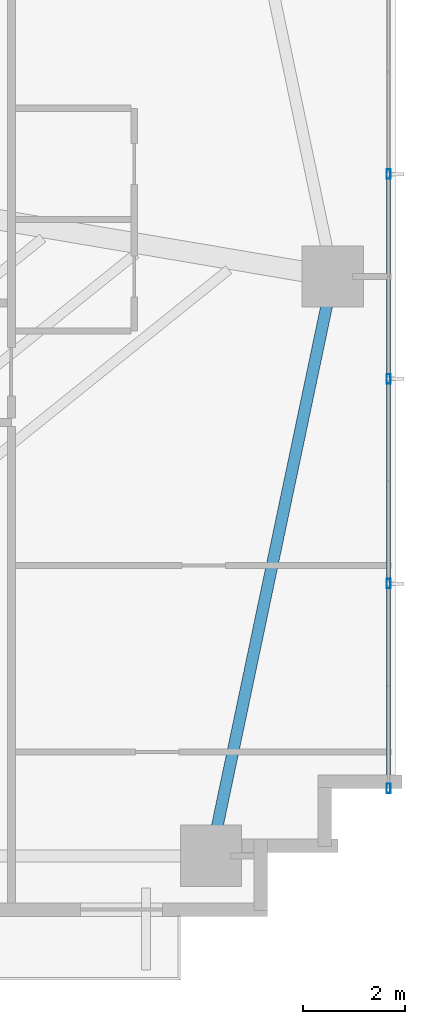
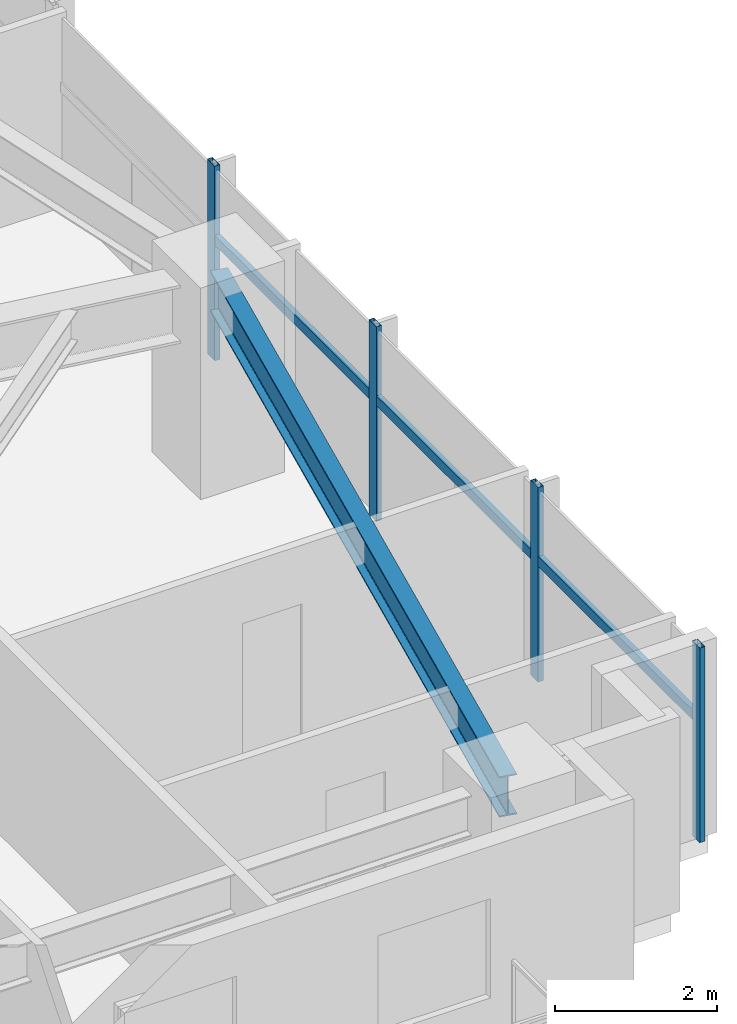
# One storey, part 14 of 25: 7 members, 1 beam, 1 element without a shape of its own.
"""IFC4 building model written with IfcOpenShell, lengths in metres."""

from ifc_helpers import new_model, si_unit, direction, frame, origin, origin_2d, place, context, subcontext, project, spatial, hollow_rectangle, i_section, extrude, source, transform, mapped, material, material_profile, profile_set, type_object, type_shapes, element, aggregate, save


model = new_model("IFC4")

# Units and contexts
model_context = context("Model", 3, precision=1e-05, world=origin(), true_north=direction((0.0, 1.0)))
body_context = subcontext(model_context, "Body", "Model", "MODEL_VIEW")
ifc_project = project(units=[si_unit("LENGTHUNIT", "METRE"), si_unit("AREAUNIT", "SQUARE_METRE"), si_unit("VOLUMEUNIT", "CUBIC_METRE"), si_unit("PLANEANGLEUNIT", "RADIAN"), si_unit("MASSUNIT", "GRAM", prefix="KILO")], contexts=[model_context])

# Site, building, storey
site_placement = place(None, origin())
site = spatial("IfcSite", under=ifc_project, at=site_placement, CompositionType="ELEMENT")
building_placement = place(site_placement, origin())
building = spatial("IfcBuilding", under=site, at=building_placement, Name="Astriad Promenade Condominiums", CompositionType="ELEMENT")
storey_placement = place(building_placement, frame((0.0, 0.0, 29.39990234375)))
storey = spatial("IfcBuildingStorey", under=building, at=storey_placement, Name="L07", CompositionType="ELEMENT", Elevation=29.39990234375)

# Beam
ifc_material_1 = material(Name="Steel ASTM A992 Grade 50", Category="steel")
ifc_material_profile_1 = material_profile(ifc_material_1, i_section(OverallWidth=0.22900390625, OverallDepth=0.612060546875, WebThickness=0.011962890625, FlangeThickness=0.01953125, FilletRadius=0.017822265625, at=origin_2d()), Name="W24X84")
ifc_profile_set_1 = profile_set([ifc_material_profile_1], Name="Steel ASTM A992 Grade 50")
beam_type = type_object("IfcBeamType", Name="STEEL SPANDREL BEAM W24X84", PredefinedType="SPANDREL", material=ifc_profile_set_1)
shared_shape_1 = source(origin(), body_context, "Body", "SweptSolid", [
    extrude(i_section(OverallWidth=0.22900390625, OverallDepth=0.612060546875, WebThickness=0.011962890625, FlangeThickness=0.01953125, FilletRadius=0.017822265625, at=origin_2d()), origin(), (0.0, 0.0, 1.0), 11.487548828125),
])
type_shapes(beam_type, [shared_shape_1])
beam_placement = place(storey_placement, frame((56.208251953125, 3.919189453125, 2.634033203125), z_axis=(0.205748055501, 0.978604995725, 0.0), x_axis=(-0.978604995725, 0.205748055501, 0.0)))
element("IfcBeam", 1, at=beam_placement, inside=storey, type_object=beam_type, Name="Perimeter Spandrel Beam SP-E1-L07", PredefinedType="SPANDREL", context=body_context, shape_type="MappedRepresentation", body=[
    mapped(shared_shape_1, transform((0.0, 0.0, 0.0), scale=1.0)),
])

# Curtain wall, members
ifc_material_2 = material(Name="Anodised aluminium Black Dark Glass Unitised", Category="aluminium")
curtain_wall_type = type_object("IfcCurtainWallType", Name="CW-B1-DARK", PredefinedType="USERDEFINED", material=ifc_material_2)
curtain_wall_placement = place(storey_placement, origin())
curtain_wall = element("IfcCurtainWall", 2, at=curtain_wall_placement, inside=storey, type_object=curtain_wall_type, Name="CW-L07-E", ObjectType="UNITISED_CURTAIN_WALL", PredefinedType="USERDEFINED")
ifc_material_3 = material(Name="Anodised aluminium 6063-T6 Black", Category="aluminium")
ifc_material_profile_2 = material_profile(ifc_material_3, hollow_rectangle(XDim=0.074951171875, YDim=0.14990234375, WallThickness=0.004150390625, at=origin_2d()), Name="ALU-TRN-75X150")
ifc_profile_set_2 = profile_set([ifc_material_profile_2], Name="Anodised aluminium 6063-T6 Black")
member_type_1 = type_object("IfcMemberType", Name="TRN-ALU-TRN-75X150", PredefinedType="USERDEFINED", material=ifc_profile_set_2)
shared_shape_2 = source(origin(), body_context, "Body", "SweptSolid", [
    extrude(hollow_rectangle(XDim=0.074951171875, YDim=0.14990234375, WallThickness=0.004150390625, at=origin_2d()), origin(), (0.0, 0.0, 1.0), 4.0),
])
type_shapes(member_type_1, [shared_shape_2])
member_1_placement = place(storey_placement, frame((59.669921875, 17.199951171875, 1.822998046875), z_axis=(0.0, -1.0, 0.0), x_axis=(1.0, 0.0, 0.0)))
member_1 = element("IfcMember", 3, at=member_1_placement, type_object=member_type_1, Name="CW-L07-E-TRN-02-0", ObjectType="TRANSOM", PredefinedType="USERDEFINED", context=body_context, shape_type="MappedRepresentation", body=[
    mapped(shared_shape_2, transform((0.0, 0.0, 0.0), scale=1.0)),
])
member_2_placement = place(storey_placement, frame((59.669921875, 13.199951171875, 1.822998046875), z_axis=(0.0, -1.0, 0.0), x_axis=(1.0, 0.0, 0.0)))
member_2 = element("IfcMember", 4, at=member_2_placement, type_object=member_type_1, Name="CW-L07-E-TRN-03-0", ObjectType="TRANSOM", PredefinedType="USERDEFINED", context=body_context, shape_type="MappedRepresentation", body=[
    mapped(shared_shape_2, transform((0.0, 0.0, 0.0), scale=1.0)),
])
member_3_placement = place(storey_placement, frame((59.669921875, 9.199951171875, 1.822998046875), z_axis=(0.0, -1.0, 0.0), x_axis=(1.0, 0.0, 0.0)))
member_3 = element("IfcMember", 5, at=member_3_placement, type_object=member_type_1, Name="CW-L07-E-TRN-04-0", ObjectType="TRANSOM", PredefinedType="USERDEFINED", context=body_context, shape_type="MappedRepresentation", body=[
    mapped(shared_shape_2, transform((0.0, 0.0, 0.0), scale=1.0)),
])
ifc_material_profile_3 = material_profile(ifc_material_3, hollow_rectangle(XDim=0.074951171875, YDim=0.18505859375, WallThickness=0.00439453125, at=origin_2d()), Name="ALU-MUL-75X185")
ifc_profile_set_3 = profile_set([ifc_material_profile_3], Name="Anodised aluminium 6063-T6 Black")
member_type_2 = type_object("IfcMemberType", Name="MUL-ALU-MUL-75X185", PredefinedType="MULLION", material=ifc_profile_set_3)
shared_shape_3 = source(origin(), body_context, "Body", "SweptSolid", [
    extrude(hollow_rectangle(XDim=0.074951171875, YDim=0.18505859375, WallThickness=0.00439453125, at=origin_2d()), origin(), (0.0, 0.0, 1.0), 2.940185546875),
])
type_shapes(member_type_2, [shared_shape_3])
member_4_placement = place(storey_placement, frame((59.669921875, 17.199951171875, 0.0), z_axis=(0.0, 0.0, 1.0), x_axis=(1.0, 0.0, 0.0)))
member_4 = element("IfcMember", 6, at=member_4_placement, type_object=member_type_2, Name="CW-L07-E-MUL-02", PredefinedType="MULLION", context=body_context, shape_type="MappedRepresentation", body=[
    mapped(shared_shape_3, transform((0.0, 0.0, 0.0), scale=1.0)),
])
member_5_placement = place(storey_placement, frame((59.669921875, 13.199951171875, 0.0), z_axis=(0.0, 0.0, 1.0), x_axis=(1.0, 0.0, 0.0)))
member_5 = element("IfcMember", 7, at=member_5_placement, type_object=member_type_2, Name="CW-L07-E-MUL-03", PredefinedType="MULLION", context=body_context, shape_type="MappedRepresentation", body=[
    mapped(shared_shape_3, transform((0.0, 0.0, 0.0), scale=1.0)),
])
member_6_placement = place(storey_placement, frame((59.669921875, 9.199951171875, 0.0), z_axis=(0.0, 0.0, 1.0), x_axis=(1.0, 0.0, 0.0)))
member_6 = element("IfcMember", 8, at=member_6_placement, type_object=member_type_2, Name="CW-L07-E-MUL-04", PredefinedType="MULLION", context=body_context, shape_type="MappedRepresentation", body=[
    mapped(shared_shape_3, transform((0.0, 0.0, 0.0), scale=1.0)),
])
member_7_placement = place(storey_placement, frame((59.669921875, 5.199951171875, 0.0), z_axis=(0.0, 0.0, 1.0), x_axis=(1.0, 0.0, 0.0)))
member_7 = element("IfcMember", 9, at=member_7_placement, type_object=member_type_2, Name="CW-L07-E-MUL-05", PredefinedType="MULLION", context=body_context, shape_type="MappedRepresentation", body=[
    mapped(shared_shape_3, transform((0.0, 0.0, 0.0), scale=1.0)),
])
aggregate(curtain_wall, [member_4, member_5, member_6, member_7, member_1, member_2, member_3])

save(model, "model.ifc")
